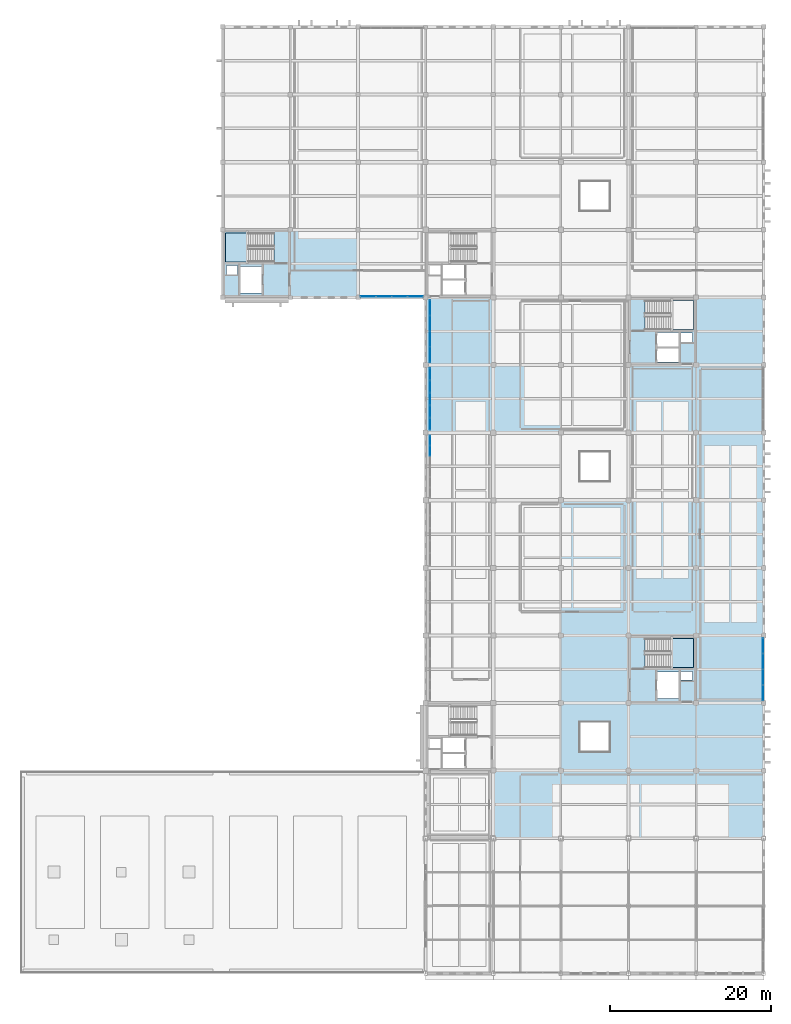
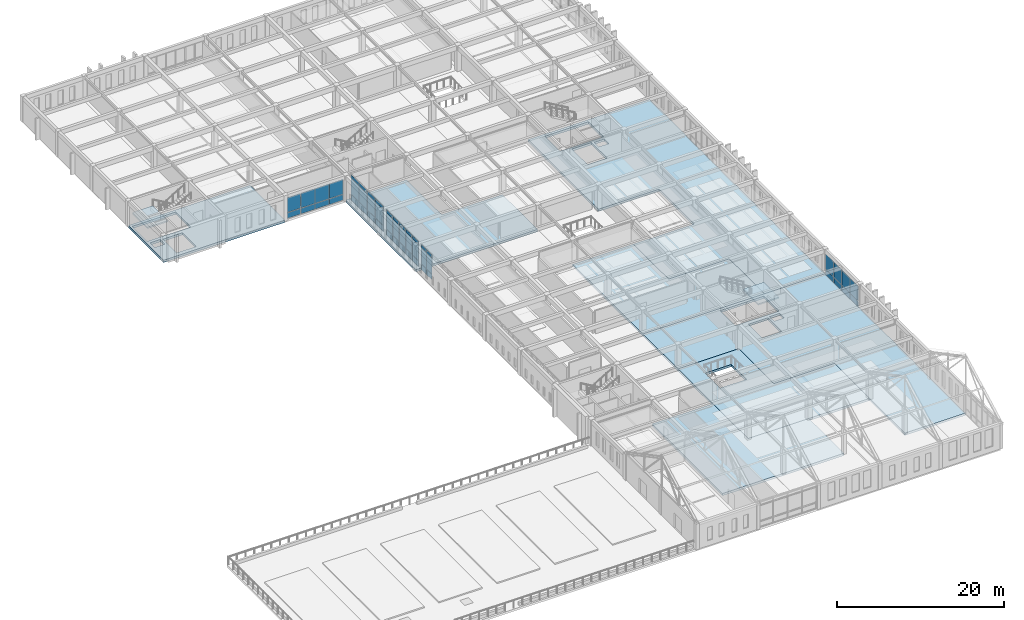
# One storey, part 24 of 47: 49 plates, 9 slabs, 7 elements without a shape of their own.
"""IFC4 building model written with IfcOpenShell, lengths in metres."""

from ifc_helpers import new_model, si_unit, direction, frame, origin, origin_2d, place, context, subcontext, project, spatial, polyline, rectangle, outline, extrude, material, layer, layer_set, type_object, element, aggregate, save


model = new_model("IFC4")

# Units and contexts
model_context = context("Model", 3, precision=1e-05, world=origin(), true_north=direction((0.0, 1.0)))
body_context = subcontext(model_context, "Body", "Model", "MODEL_VIEW")
ifc_project = project(units=[si_unit("LENGTHUNIT", "METRE"), si_unit("AREAUNIT", "SQUARE_METRE"), si_unit("VOLUMEUNIT", "CUBIC_METRE"), si_unit("PLANEANGLEUNIT", "RADIAN"), si_unit("MASSUNIT", "GRAM", prefix="KILO")], contexts=[model_context])

# Site, building, storey
site_placement = place(None, origin())
site = spatial("IfcSite", under=ifc_project, at=site_placement, CompositionType="ELEMENT")
building_placement = place(site_placement, origin())
building = spatial("IfcBuilding", under=site, at=building_placement, Name="Kveldsbrygga Polytechnic", CompositionType="ELEMENT")
storey_placement = place(building_placement, frame((0.0, 0.0, 13.93994140625)))
storey = spatial("IfcBuildingStorey", under=building, at=storey_placement, Name="L03", CompositionType="ELEMENT", Elevation=13.93994140625)

# Curtain wall, plates
ifc_material_1 = material(Name="Anodised aluminium AW-6060", Category="aluminium")
ifc_layer_1 = layer(ifc_material_1, 0.179931640625)
ifc_layer_set_1 = layer_set([ifc_layer_1], Name="Anodised aluminium AW-6060")
curtain_wall_type_1 = type_object("IfcCurtainWallType", Name="CW-LANC-D", PredefinedType="USERDEFINED", material=ifc_layer_set_1)
curtain_wall_1_placement = place(storey_placement, origin())
curtain_wall_1 = element("IfcCurtainWall", 1, at=curtain_wall_1_placement, inside=storey, type_object=curtain_wall_type_1, Name="Curtain Wall CW-L03-Y-15-08", ObjectType="UNITISED CURTAIN WALL", PredefinedType="USERDEFINED")
ifc_material_2 = material(Name="Insulated triple low-E glass", Category="glass")
ifc_layer_2 = layer(ifc_material_2, 0.035888671875)
ifc_layer_set_2 = layer_set([ifc_layer_2], Name="Insulated triple low-E glass")
plate_type_1 = type_object("IfcPlateType", Name="CW-PAN-VIS36", PredefinedType="CURTAIN_PANEL", material=ifc_layer_set_2)
plate_1_placement = place(storey_placement, frame((126.550048828125, 68.293212890625, 0.06005859375), z_axis=(0.0, 0.0, 1.0), x_axis=(0.0, 1.0, 0.0)))
plate_1 = element("IfcPlate", 2, at=plate_1_placement, type_object=plate_type_1, Name="CW-04 panel 1.1", PredefinedType="CURTAIN_PANEL", context=body_context, shape_type="SweptSolid", body=[
    extrude(rectangle(XDim=1.446533203125, YDim=0.035888671875, at=origin_2d()), origin(), (0.0, 0.0, 1.0), 0.81005859375),
])
plate_2_placement = place(storey_placement, frame((126.550048828125, 68.293212890625, 0.929931640625), z_axis=(0.0, 0.0, 1.0), x_axis=(0.0, 1.0, 0.0)))
plate_2 = element("IfcPlate", 3, at=plate_2_placement, type_object=plate_type_1, Name="CW-04 panel 1.2", PredefinedType="CURTAIN_PANEL", context=body_context, shape_type="SweptSolid", body=[
    extrude(rectangle(XDim=1.446533203125, YDim=0.035888671875, at=origin_2d()), origin(), (0.0, 0.0, 1.0), 2.27001953125),
])
plate_3_placement = place(storey_placement, frame((126.550048828125, 68.293212890625, 3.260009765625), z_axis=(0.0, 0.0, 1.0), x_axis=(0.0, 1.0, 0.0)))
plate_3 = element("IfcPlate", 4, at=plate_3_placement, type_object=plate_type_1, Name="CW-04 panel 1.3", PredefinedType="CURTAIN_PANEL", context=body_context, shape_type="SweptSolid", body=[
    extrude(rectangle(XDim=1.446533203125, YDim=0.035888671875, at=origin_2d()), origin(), (0.0, 0.0, 1.0), 0.4599609375),
])
plate_4_placement = place(storey_placement, frame((126.550048828125, 69.83349609375, 0.06005859375), z_axis=(0.0, 0.0, 1.0), x_axis=(0.0, 1.0, 0.0)))
plate_4 = element("IfcPlate", 5, at=plate_4_placement, type_object=plate_type_1, Name="CW-04 panel 2.1", PredefinedType="CURTAIN_PANEL", context=body_context, shape_type="SweptSolid", body=[
    extrude(rectangle(XDim=1.48388671875, YDim=0.035888671875, at=origin_2d()), origin(), (0.0, 0.0, 1.0), 0.81005859375),
])
plate_5_placement = place(storey_placement, frame((126.550048828125, 69.83349609375, 0.929931640625), z_axis=(0.0, 0.0, 1.0), x_axis=(0.0, 1.0, 0.0)))
plate_5 = element("IfcPlate", 6, at=plate_5_placement, type_object=plate_type_1, Name="CW-04 panel 2.2", PredefinedType="CURTAIN_PANEL", context=body_context, shape_type="SweptSolid", body=[
    extrude(rectangle(XDim=1.48388671875, YDim=0.035888671875, at=origin_2d()), origin(), (0.0, 0.0, 1.0), 2.27001953125),
])
plate_6_placement = place(storey_placement, frame((126.550048828125, 69.83349609375, 3.260009765625), z_axis=(0.0, 0.0, 1.0), x_axis=(0.0, 1.0, 0.0)))
plate_6 = element("IfcPlate", 7, at=plate_6_placement, type_object=plate_type_1, Name="CW-04 panel 2.3", PredefinedType="CURTAIN_PANEL", context=body_context, shape_type="SweptSolid", body=[
    extrude(rectangle(XDim=1.48388671875, YDim=0.035888671875, at=origin_2d()), origin(), (0.0, 0.0, 1.0), 0.4599609375),
])
plate_7_placement = place(storey_placement, frame((126.550048828125, 71.392578125, 0.06005859375), z_axis=(0.0, 0.0, 1.0), x_axis=(0.0, 1.0, 0.0)))
plate_7 = element("IfcPlate", 8, at=plate_7_placement, type_object=plate_type_1, Name="CW-04 panel 3.1", PredefinedType="CURTAIN_PANEL", context=body_context, shape_type="SweptSolid", body=[
    extrude(rectangle(XDim=1.48388671875, YDim=0.035888671875, at=origin_2d()), origin(), (0.0, 0.0, 1.0), 0.81005859375),
])
plate_8_placement = place(storey_placement, frame((126.550048828125, 71.392578125, 0.929931640625), z_axis=(0.0, 0.0, 1.0), x_axis=(0.0, 1.0, 0.0)))
plate_8 = element("IfcPlate", 9, at=plate_8_placement, type_object=plate_type_1, Name="CW-04 panel 3.2", PredefinedType="CURTAIN_PANEL", context=body_context, shape_type="SweptSolid", body=[
    extrude(rectangle(XDim=1.48388671875, YDim=0.035888671875, at=origin_2d()), origin(), (0.0, 0.0, 1.0), 2.27001953125),
])
plate_9_placement = place(storey_placement, frame((126.550048828125, 71.392578125, 3.260009765625), z_axis=(0.0, 0.0, 1.0), x_axis=(0.0, 1.0, 0.0)))
plate_9 = element("IfcPlate", 10, at=plate_9_placement, type_object=plate_type_1, Name="CW-04 panel 3.3", PredefinedType="CURTAIN_PANEL", context=body_context, shape_type="SweptSolid", body=[
    extrude(rectangle(XDim=1.48388671875, YDim=0.035888671875, at=origin_2d()), origin(), (0.0, 0.0, 1.0), 0.4599609375),
])
plate_10_placement = place(storey_placement, frame((126.550048828125, 72.951416015625, 0.06005859375), z_axis=(0.0, 0.0, 1.0), x_axis=(0.0, 1.0, 0.0)))
plate_10 = element("IfcPlate", 11, at=plate_10_placement, type_object=plate_type_1, Name="CW-04 panel 4.1", PredefinedType="CURTAIN_PANEL", context=body_context, shape_type="SweptSolid", body=[
    extrude(rectangle(XDim=1.48388671875, YDim=0.035888671875, at=origin_2d()), origin(), (0.0, 0.0, 1.0), 0.81005859375),
])
plate_11_placement = place(storey_placement, frame((126.550048828125, 72.951416015625, 0.929931640625), z_axis=(0.0, 0.0, 1.0), x_axis=(0.0, 1.0, 0.0)))
plate_11 = element("IfcPlate", 12, at=plate_11_placement, type_object=plate_type_1, Name="CW-04 panel 4.2", PredefinedType="CURTAIN_PANEL", context=body_context, shape_type="SweptSolid", body=[
    extrude(rectangle(XDim=1.48388671875, YDim=0.035888671875, at=origin_2d()), origin(), (0.0, 0.0, 1.0), 2.27001953125),
])
plate_12_placement = place(storey_placement, frame((126.550048828125, 72.951416015625, 3.260009765625), z_axis=(0.0, 0.0, 1.0), x_axis=(0.0, 1.0, 0.0)))
plate_12 = element("IfcPlate", 13, at=plate_12_placement, type_object=plate_type_1, Name="CW-04 panel 4.3", PredefinedType="CURTAIN_PANEL", context=body_context, shape_type="SweptSolid", body=[
    extrude(rectangle(XDim=1.48388671875, YDim=0.035888671875, at=origin_2d()), origin(), (0.0, 0.0, 1.0), 0.4599609375),
])
plate_13_placement = place(storey_placement, frame((126.550048828125, 74.49169921875, 0.06005859375), z_axis=(0.0, 0.0, 1.0), x_axis=(0.0, 1.0, 0.0)))
plate_13 = element("IfcPlate", 14, at=plate_13_placement, type_object=plate_type_1, Name="CW-04 panel 5.1", PredefinedType="CURTAIN_PANEL", context=body_context, shape_type="SweptSolid", body=[
    extrude(rectangle(XDim=1.446533203125, YDim=0.035888671875, at=origin_2d()), origin(), (0.0, 0.0, 1.0), 0.81005859375),
])
plate_14_placement = place(storey_placement, frame((126.550048828125, 74.49169921875, 0.929931640625), z_axis=(0.0, 0.0, 1.0), x_axis=(0.0, 1.0, 0.0)))
plate_14 = element("IfcPlate", 15, at=plate_14_placement, type_object=plate_type_1, Name="CW-04 panel 5.2", PredefinedType="CURTAIN_PANEL", context=body_context, shape_type="SweptSolid", body=[
    extrude(rectangle(XDim=1.446533203125, YDim=0.035888671875, at=origin_2d()), origin(), (0.0, 0.0, 1.0), 2.27001953125),
])
plate_15_placement = place(storey_placement, frame((126.550048828125, 74.49169921875, 3.260009765625), z_axis=(0.0, 0.0, 1.0), x_axis=(0.0, 1.0, 0.0)))
plate_15 = element("IfcPlate", 16, at=plate_15_placement, type_object=plate_type_1, Name="CW-04 panel 5.3", PredefinedType="CURTAIN_PANEL", context=body_context, shape_type="SweptSolid", body=[
    extrude(rectangle(XDim=1.446533203125, YDim=0.035888671875, at=origin_2d()), origin(), (0.0, 0.0, 1.0), 0.4599609375),
])
aggregate(curtain_wall_1, [plate_1, plate_2, plate_3, plate_4, plate_5, plate_6, plate_7, plate_8, plate_9, plate_10, plate_11, plate_12, plate_13, plate_14, plate_15])

ifc_layer_3 = layer(ifc_material_1, 0.199951171875)
ifc_layer_set_3 = layer_set([ifc_layer_3], Name="Anodised aluminium AW-6060")
curtain_wall_type_2 = type_object("IfcCurtainWallType", Name="CW-LANC-E", PredefinedType="USERDEFINED", material=ifc_layer_set_3)
curtain_wall_2_placement = place(storey_placement, origin())
curtain_wall_2 = element("IfcCurtainWall", 17, at=curtain_wall_2_placement, inside=storey, type_object=curtain_wall_type_2, Name="Curtain Wall CW-L03-X-14-10", ObjectType="UNITISED CURTAIN WALL", PredefinedType="USERDEFINED")
ifc_layer_4 = layer(ifc_material_2, 0.0419921875)
ifc_layer_set_4 = layer_set([ifc_layer_4], Name="Insulated triple low-E glass")
plate_type_2 = type_object("IfcPlateType", Name="CW-PAN-VIS42", PredefinedType="CURTAIN_PANEL", material=ifc_layer_set_4)
plate_16_placement = place(storey_placement, frame((118.855712890625, 84.10009765625, 0.06005859375), z_axis=(0.0, 0.0, 1.0), x_axis=(1.0, 0.0, 0.0)))
plate_16 = element("IfcPlate", 18, at=plate_16_placement, type_object=plate_type_2, Name="CW-05 panel 1.1", PredefinedType="CURTAIN_PANEL", context=body_context, shape_type="SweptSolid", body=[
    extrude(rectangle(XDim=1.871337890625, YDim=0.0419921875, at=origin_2d()), origin(), (0.0, 0.0, 1.0), 0.81005859375),
])
plate_17_placement = place(storey_placement, frame((118.855712890625, 84.10009765625, 0.93017578125), z_axis=(0.0, 0.0, 1.0), x_axis=(1.0, 0.0, 0.0)))
plate_17 = element("IfcPlate", 19, at=plate_17_placement, type_object=plate_type_2, Name="CW-05 panel 1.2", PredefinedType="CURTAIN_PANEL", context=body_context, shape_type="SweptSolid", body=[
    extrude(rectangle(XDim=1.871337890625, YDim=0.0419921875, at=origin_2d()), origin(), (0.0, 0.0, 1.0), 2.159912109375),
])
plate_18_placement = place(storey_placement, frame((120.8017578125, 84.10009765625, 0.06005859375), z_axis=(0.0, 0.0, 1.0), x_axis=(1.0, 0.0, 0.0)))
plate_18 = element("IfcPlate", 20, at=plate_18_placement, type_object=plate_type_2, Name="CW-05 panel 2.1", PredefinedType="CURTAIN_PANEL", context=body_context, shape_type="SweptSolid", body=[
    extrude(rectangle(XDim=1.9013671875, YDim=0.0419921875, at=origin_2d()), origin(), (0.0, 0.0, 1.0), 0.81005859375),
])
plate_19_placement = place(storey_placement, frame((120.8017578125, 84.10009765625, 0.93017578125), z_axis=(0.0, 0.0, 1.0), x_axis=(1.0, 0.0, 0.0)))
plate_19 = element("IfcPlate", 21, at=plate_19_placement, type_object=plate_type_2, Name="CW-05 panel 2.2", PredefinedType="CURTAIN_PANEL", context=body_context, shape_type="SweptSolid", body=[
    extrude(rectangle(XDim=1.9013671875, YDim=0.0419921875, at=origin_2d()), origin(), (0.0, 0.0, 1.0), 2.159912109375),
])
plate_20_placement = place(storey_placement, frame((122.76318359375, 84.10009765625, 0.06005859375), z_axis=(0.0, 0.0, 1.0), x_axis=(1.0, 0.0, 0.0)))
plate_20 = element("IfcPlate", 22, at=plate_20_placement, type_object=plate_type_2, Name="CW-05 panel 3.1", PredefinedType="CURTAIN_PANEL", context=body_context, shape_type="SweptSolid", body=[
    extrude(rectangle(XDim=1.9013671875, YDim=0.0419921875, at=origin_2d()), origin(), (0.0, 0.0, 1.0), 0.81005859375),
])
plate_21_placement = place(storey_placement, frame((122.76318359375, 84.10009765625, 0.93017578125), z_axis=(0.0, 0.0, 1.0), x_axis=(1.0, 0.0, 0.0)))
plate_21 = element("IfcPlate", 23, at=plate_21_placement, type_object=plate_type_2, Name="CW-05 panel 3.2", PredefinedType="CURTAIN_PANEL", context=body_context, shape_type="SweptSolid", body=[
    extrude(rectangle(XDim=1.9013671875, YDim=0.0419921875, at=origin_2d()), origin(), (0.0, 0.0, 1.0), 2.159912109375),
])
plate_22_placement = place(storey_placement, frame((124.70947265625, 84.10009765625, 0.06005859375), z_axis=(0.0, 0.0, 1.0), x_axis=(1.0, 0.0, 0.0)))
plate_22 = element("IfcPlate", 24, at=plate_22_placement, type_object=plate_type_2, Name="CW-05 panel 4.1", PredefinedType="CURTAIN_PANEL", context=body_context, shape_type="SweptSolid", body=[
    extrude(rectangle(XDim=1.871337890625, YDim=0.0419921875, at=origin_2d()), origin(), (0.0, 0.0, 1.0), 0.81005859375),
])
plate_23_placement = place(storey_placement, frame((124.70947265625, 84.10009765625, 0.93017578125), z_axis=(0.0, 0.0, 1.0), x_axis=(1.0, 0.0, 0.0)))
plate_23 = element("IfcPlate", 25, at=plate_23_placement, type_object=plate_type_2, Name="CW-05 panel 4.2", PredefinedType="CURTAIN_PANEL", context=body_context, shape_type="SweptSolid", body=[
    extrude(rectangle(XDim=1.871337890625, YDim=0.0419921875, at=origin_2d()), origin(), (0.0, 0.0, 1.0), 2.159912109375),
])
aggregate(curtain_wall_2, [plate_16, plate_17, plate_18, plate_19, plate_20, plate_21, plate_22, plate_23])

curtain_wall_3_placement = place(storey_placement, origin())
curtain_wall_3 = element("IfcCurtainWall", 26, at=curtain_wall_3_placement, inside=storey, type_object=curtain_wall_type_2, Name="Curtain Wall CW-L03-Y-15-09", ObjectType="UNITISED CURTAIN WALL", PredefinedType="USERDEFINED")
plate_24_placement = place(storey_placement, frame((126.550048828125, 76.8994140625, 0.06005859375), z_axis=(0.0, 0.0, 1.0), x_axis=(0.0, 1.0, 0.0)))
plate_24 = element("IfcPlate", 27, at=plate_24_placement, type_object=plate_type_2, Name="CW-05 panel 1.1", PredefinedType="CURTAIN_PANEL", context=body_context, shape_type="SweptSolid", body=[
    extrude(rectangle(XDim=1.858642578125, YDim=0.0419921875, at=origin_2d()), origin(), (0.0, 0.0, 1.0), 0.81005859375),
])
plate_25_placement = place(storey_placement, frame((126.550048828125, 76.8994140625, 0.929931640625), z_axis=(0.0, 0.0, 1.0), x_axis=(0.0, 1.0, 0.0)))
plate_25 = element("IfcPlate", 28, at=plate_25_placement, type_object=plate_type_2, Name="CW-05 panel 1.2", PredefinedType="CURTAIN_PANEL", context=body_context, shape_type="SweptSolid", body=[
    extrude(rectangle(XDim=1.858642578125, YDim=0.0419921875, at=origin_2d()), origin(), (0.0, 0.0, 1.0), 2.27001953125),
])
plate_26_placement = place(storey_placement, frame((126.550048828125, 76.8994140625, 3.260009765625), z_axis=(0.0, 0.0, 1.0), x_axis=(0.0, 1.0, 0.0)))
plate_26 = element("IfcPlate", 29, at=plate_26_placement, type_object=plate_type_2, Name="CW-05 panel 1.3", PredefinedType="CURTAIN_PANEL", context=body_context, shape_type="SweptSolid", body=[
    extrude(rectangle(XDim=1.858642578125, YDim=0.0419921875, at=origin_2d()), origin(), (0.0, 0.0, 1.0), 0.4599609375),
])
plate_27_placement = place(storey_placement, frame((126.550048828125, 78.8330078125, 0.06005859375), z_axis=(0.0, 0.0, 1.0), x_axis=(0.0, 1.0, 0.0)))
plate_27 = element("IfcPlate", 30, at=plate_27_placement, type_object=plate_type_2, Name="CW-05 panel 2.1", PredefinedType="CURTAIN_PANEL", context=body_context, shape_type="SweptSolid", body=[
    extrude(rectangle(XDim=1.888671875, YDim=0.0419921875, at=origin_2d()), origin(), (0.0, 0.0, 1.0), 0.81005859375),
])
plate_28_placement = place(storey_placement, frame((126.550048828125, 78.8330078125, 0.929931640625), z_axis=(0.0, 0.0, 1.0), x_axis=(0.0, 1.0, 0.0)))
plate_28 = element("IfcPlate", 31, at=plate_28_placement, type_object=plate_type_2, Name="CW-05 panel 2.2", PredefinedType="CURTAIN_PANEL", context=body_context, shape_type="SweptSolid", body=[
    extrude(rectangle(XDim=1.888671875, YDim=0.0419921875, at=origin_2d()), origin(), (0.0, 0.0, 1.0), 2.27001953125),
])
plate_29_placement = place(storey_placement, frame((126.550048828125, 78.8330078125, 3.260009765625), z_axis=(0.0, 0.0, 1.0), x_axis=(0.0, 1.0, 0.0)))
plate_29 = element("IfcPlate", 32, at=plate_29_placement, type_object=plate_type_2, Name="CW-05 panel 2.3", PredefinedType="CURTAIN_PANEL", context=body_context, shape_type="SweptSolid", body=[
    extrude(rectangle(XDim=1.888671875, YDim=0.0419921875, at=origin_2d()), origin(), (0.0, 0.0, 1.0), 0.4599609375),
])
plate_30_placement = place(storey_placement, frame((126.550048828125, 80.781982421875, 0.06005859375), z_axis=(0.0, 0.0, 1.0), x_axis=(0.0, 1.0, 0.0)))
plate_30 = element("IfcPlate", 33, at=plate_30_placement, type_object=plate_type_2, Name="CW-05 panel 3.1", PredefinedType="CURTAIN_PANEL", context=body_context, shape_type="SweptSolid", body=[
    extrude(rectangle(XDim=1.888671875, YDim=0.0419921875, at=origin_2d()), origin(), (0.0, 0.0, 1.0), 0.81005859375),
])
plate_31_placement = place(storey_placement, frame((126.550048828125, 80.781982421875, 0.929931640625), z_axis=(0.0, 0.0, 1.0), x_axis=(0.0, 1.0, 0.0)))
plate_31 = element("IfcPlate", 34, at=plate_31_placement, type_object=plate_type_2, Name="CW-05 panel 3.2", PredefinedType="CURTAIN_PANEL", context=body_context, shape_type="SweptSolid", body=[
    extrude(rectangle(XDim=1.888671875, YDim=0.0419921875, at=origin_2d()), origin(), (0.0, 0.0, 1.0), 2.27001953125),
])
plate_32_placement = place(storey_placement, frame((126.550048828125, 80.781982421875, 3.260009765625), z_axis=(0.0, 0.0, 1.0), x_axis=(0.0, 1.0, 0.0)))
plate_32 = element("IfcPlate", 35, at=plate_32_placement, type_object=plate_type_2, Name="CW-05 panel 3.3", PredefinedType="CURTAIN_PANEL", context=body_context, shape_type="SweptSolid", body=[
    extrude(rectangle(XDim=1.888671875, YDim=0.0419921875, at=origin_2d()), origin(), (0.0, 0.0, 1.0), 0.4599609375),
])
plate_33_placement = place(storey_placement, frame((126.550048828125, 82.715576171875, 0.06005859375), z_axis=(0.0, 0.0, 1.0), x_axis=(0.0, 1.0, 0.0)))
plate_33 = element("IfcPlate", 36, at=plate_33_placement, type_object=plate_type_2, Name="CW-05 panel 4.1", PredefinedType="CURTAIN_PANEL", context=body_context, shape_type="SweptSolid", body=[
    extrude(rectangle(XDim=1.858642578125, YDim=0.0419921875, at=origin_2d()), origin(), (0.0, 0.0, 1.0), 0.81005859375),
])
plate_34_placement = place(storey_placement, frame((126.550048828125, 82.715576171875, 0.929931640625), z_axis=(0.0, 0.0, 1.0), x_axis=(0.0, 1.0, 0.0)))
plate_34 = element("IfcPlate", 37, at=plate_34_placement, type_object=plate_type_2, Name="CW-05 panel 4.2", PredefinedType="CURTAIN_PANEL", context=body_context, shape_type="SweptSolid", body=[
    extrude(rectangle(XDim=1.858642578125, YDim=0.0419921875, at=origin_2d()), origin(), (0.0, 0.0, 1.0), 2.27001953125),
])
plate_35_placement = place(storey_placement, frame((126.550048828125, 82.715576171875, 3.260009765625), z_axis=(0.0, 0.0, 1.0), x_axis=(0.0, 1.0, 0.0)))
plate_35 = element("IfcPlate", 38, at=plate_35_placement, type_object=plate_type_2, Name="CW-05 panel 4.3", PredefinedType="CURTAIN_PANEL", context=body_context, shape_type="SweptSolid", body=[
    extrude(rectangle(XDim=1.858642578125, YDim=0.0419921875, at=origin_2d()), origin(), (0.0, 0.0, 1.0), 0.4599609375),
])
aggregate(curtain_wall_3, [plate_24, plate_25, plate_26, plate_27, plate_28, plate_29, plate_30, plate_31, plate_32, plate_33, plate_34, plate_35])

curtain_wall_4_placement = place(storey_placement, origin())
curtain_wall_4 = element("IfcCurtainWall", 39, at=curtain_wall_4_placement, inside=storey, type_object=curtain_wall_type_2, Name="Curtain Wall CW-L03-Y-20-04", ObjectType="UNITISED CURTAIN WALL", PredefinedType="USERDEFINED")
plate_36_placement = place(storey_placement, frame((167.89990234375, 34.8798828125, 0.06005859375), z_axis=(0.0, 0.0, 1.0), x_axis=(0.0, 1.0, 0.0)))
plate_36 = element("IfcPlate", 40, at=plate_36_placement, type_object=plate_type_2, Name="CW-05 panel 1.1", PredefinedType="CURTAIN_PANEL", context=body_context, shape_type="SweptSolid", body=[
    extrude(rectangle(XDim=1.8701171875, YDim=0.0419921875, at=origin_2d()), origin(), (0.0, 0.0, 1.0), 0.81005859375),
])
plate_37_placement = place(storey_placement, frame((167.89990234375, 34.8798828125, 0.93017578125), z_axis=(0.0, 0.0, 1.0), x_axis=(0.0, 1.0, 0.0)))
plate_37 = element("IfcPlate", 41, at=plate_37_placement, type_object=plate_type_2, Name="CW-05 panel 1.2", PredefinedType="CURTAIN_PANEL", context=body_context, shape_type="SweptSolid", body=[
    extrude(rectangle(XDim=1.8701171875, YDim=0.0419921875, at=origin_2d()), origin(), (0.0, 0.0, 1.0), 2.159912109375),
])
plate_38_placement = place(storey_placement, frame((167.89990234375, 36.824951171875, 0.06005859375), z_axis=(0.0, 0.0, 1.0), x_axis=(0.0, 1.0, 0.0)))
plate_38 = element("IfcPlate", 42, at=plate_38_placement, type_object=plate_type_2, Name="CW-05 panel 2.1", PredefinedType="CURTAIN_PANEL", context=body_context, shape_type="SweptSolid", body=[
    extrude(rectangle(XDim=1.89990234375, YDim=0.0419921875, at=origin_2d()), origin(), (0.0, 0.0, 1.0), 0.81005859375),
])
plate_39_placement = place(storey_placement, frame((167.89990234375, 36.824951171875, 0.93017578125), z_axis=(0.0, 0.0, 1.0), x_axis=(0.0, 1.0, 0.0)))
plate_39 = element("IfcPlate", 43, at=plate_39_placement, type_object=plate_type_2, Name="CW-05 panel 2.2", PredefinedType="CURTAIN_PANEL", context=body_context, shape_type="SweptSolid", body=[
    extrude(rectangle(XDim=1.89990234375, YDim=0.0419921875, at=origin_2d()), origin(), (0.0, 0.0, 1.0), 2.159912109375),
])
plate_40_placement = place(storey_placement, frame((167.89990234375, 38.784912109375, 0.06005859375), z_axis=(0.0, 0.0, 1.0), x_axis=(0.0, 1.0, 0.0)))
plate_40 = element("IfcPlate", 44, at=plate_40_placement, type_object=plate_type_2, Name="CW-05 panel 3.1", PredefinedType="CURTAIN_PANEL", context=body_context, shape_type="SweptSolid", body=[
    extrude(rectangle(XDim=1.89990234375, YDim=0.0419921875, at=origin_2d()), origin(), (0.0, 0.0, 1.0), 0.81005859375),
])
plate_41_placement = place(storey_placement, frame((167.89990234375, 38.784912109375, 0.93017578125), z_axis=(0.0, 0.0, 1.0), x_axis=(0.0, 1.0, 0.0)))
plate_41 = element("IfcPlate", 45, at=plate_41_placement, type_object=plate_type_2, Name="CW-05 panel 3.2", PredefinedType="CURTAIN_PANEL", context=body_context, shape_type="SweptSolid", body=[
    extrude(rectangle(XDim=1.89990234375, YDim=0.0419921875, at=origin_2d()), origin(), (0.0, 0.0, 1.0), 2.159912109375),
])
plate_42_placement = place(storey_placement, frame((167.89990234375, 40.72998046875, 0.06005859375), z_axis=(0.0, 0.0, 1.0), x_axis=(0.0, 1.0, 0.0)))
plate_42 = element("IfcPlate", 46, at=plate_42_placement, type_object=plate_type_2, Name="CW-05 panel 4.1", PredefinedType="CURTAIN_PANEL", context=body_context, shape_type="SweptSolid", body=[
    extrude(rectangle(XDim=1.8701171875, YDim=0.0419921875, at=origin_2d()), origin(), (0.0, 0.0, 1.0), 0.81005859375),
])
plate_43_placement = place(storey_placement, frame((167.89990234375, 40.72998046875, 0.93017578125), z_axis=(0.0, 0.0, 1.0), x_axis=(0.0, 1.0, 0.0)))
plate_43 = element("IfcPlate", 47, at=plate_43_placement, type_object=plate_type_2, Name="CW-05 panel 4.2", PredefinedType="CURTAIN_PANEL", context=body_context, shape_type="SweptSolid", body=[
    extrude(rectangle(XDim=1.8701171875, YDim=0.0419921875, at=origin_2d()), origin(), (0.0, 0.0, 1.0), 2.159912109375),
])
aggregate(curtain_wall_4, [plate_36, plate_37, plate_38, plate_39, plate_40, plate_41, plate_42, plate_43])

ifc_layer_5 = layer(ifc_material_1, 0.159912109375)
ifc_layer_set_5 = layer_set([ifc_layer_5], Name="Anodised aluminium AW-6060")
curtain_wall_type_3 = type_object("IfcCurtainWallType", Name="CW-CLER-C", PredefinedType="USERDEFINED", material=ifc_layer_set_5)
curtain_wall_5_placement = place(storey_placement, origin())
curtain_wall_5 = element("IfcCurtainWall", 48, at=curtain_wall_5_placement, inside=storey, type_object=curtain_wall_type_3, Name="Curtain Wall CW-L03-Y-15-07", ObjectType="STICK CURTAIN WALL", PredefinedType="USERDEFINED")
ifc_layer_6 = layer(ifc_material_2, 0.048095703125)
ifc_layer_set_6 = layer_set([ifc_layer_6], Name="Insulated triple low-E glass")
plate_type_3 = type_object("IfcPlateType", Name="CW-PAN-VIS48", PredefinedType="CURTAIN_PANEL", material=ifc_layer_set_6)
plate_44_placement = place(storey_placement, frame((126.550048828125, 64.956298828125, 0.074951171875), z_axis=(0.0, 0.0, 1.0), x_axis=(0.0, 1.0, 0.0)))
plate_44 = element("IfcPlate", 49, at=plate_44_placement, type_object=plate_type_3, Name="CW-03 panel 5.1", PredefinedType="CURTAIN_PANEL", context=body_context, shape_type="SweptSolid", body=[
    extrude(rectangle(XDim=1.22412109375, YDim=0.048095703125, at=origin_2d()), origin(), (0.0, 0.0, 1.0), 0.78759765625),
])
plate_45_placement = place(storey_placement, frame((126.550048828125, 64.956298828125, 0.9375), z_axis=(0.0, 0.0, 1.0), x_axis=(0.0, 1.0, 0.0)))
plate_45 = element("IfcPlate", 50, at=plate_45_placement, type_object=plate_type_3, Name="CW-03 panel 5.2", PredefinedType="CURTAIN_PANEL", context=body_context, shape_type="SweptSolid", body=[
    extrude(rectangle(XDim=1.22412109375, YDim=0.048095703125, at=origin_2d()), origin(), (0.0, 0.0, 1.0), 2.2548828125),
])
plate_46_placement = place(storey_placement, frame((126.550048828125, 64.956298828125, 3.267578125), z_axis=(0.0, 0.0, 1.0), x_axis=(0.0, 1.0, 0.0)))
plate_46 = element("IfcPlate", 51, at=plate_46_placement, type_object=plate_type_3, Name="CW-03 panel 5.3", PredefinedType="CURTAIN_PANEL", context=body_context, shape_type="SweptSolid", body=[
    extrude(rectangle(XDim=1.22412109375, YDim=0.048095703125, at=origin_2d()), origin(), (0.0, 0.0, 1.0), 0.4375),
])
plate_47_placement = place(storey_placement, frame((126.550048828125, 66.236572265625, 0.074951171875), z_axis=(0.0, 0.0, 1.0), x_axis=(0.0, 1.0, 0.0)))
plate_47 = element("IfcPlate", 52, at=plate_47_placement, type_object=plate_type_3, Name="CW-03 panel 6.1", PredefinedType="CURTAIN_PANEL", context=body_context, shape_type="SweptSolid", body=[
    extrude(rectangle(XDim=1.186767578125, YDim=0.048095703125, at=origin_2d()), origin(), (0.0, 0.0, 1.0), 0.78759765625),
])
plate_48_placement = place(storey_placement, frame((126.550048828125, 66.236572265625, 0.9375), z_axis=(0.0, 0.0, 1.0), x_axis=(0.0, 1.0, 0.0)))
plate_48 = element("IfcPlate", 53, at=plate_48_placement, type_object=plate_type_3, Name="CW-03 panel 6.2", PredefinedType="CURTAIN_PANEL", context=body_context, shape_type="SweptSolid", body=[
    extrude(rectangle(XDim=1.186767578125, YDim=0.048095703125, at=origin_2d()), origin(), (0.0, 0.0, 1.0), 2.2548828125),
])
plate_49_placement = place(storey_placement, frame((126.550048828125, 66.236572265625, 3.267578125), z_axis=(0.0, 0.0, 1.0), x_axis=(0.0, 1.0, 0.0)))
plate_49 = element("IfcPlate", 54, at=plate_49_placement, type_object=plate_type_3, Name="CW-03 panel 6.3", PredefinedType="CURTAIN_PANEL", context=body_context, shape_type="SweptSolid", body=[
    extrude(rectangle(XDim=1.186767578125, YDim=0.048095703125, at=origin_2d()), origin(), (0.0, 0.0, 1.0), 0.4375),
])
aggregate(curtain_wall_5, [plate_44, plate_45, plate_46, plate_47, plate_48, plate_49])

# Stair, slab
ifc_material_3 = material(Name="Concrete C35/45", Category="concrete")
stair_type = type_object("IfcStairType", Name="STR-CORE-408", PredefinedType="HALF_TURN_STAIR", material=ifc_material_3)
stair_1_placement = place(storey_placement, origin())
stair_1 = element("IfcStair", 55, at=stair_1_placement, inside=storey, type_object=stair_type, Name="L03 Core C3 Escape Stair ST-3", PredefinedType="HALF_TURN_STAIR")
ifc_layer_7 = layer(ifc_material_3, 0.199951171875)
ifc_layer_set_7 = layer_set([ifc_layer_7], Name="Concrete C35/45")
slab_type_1 = type_object("IfcSlabType", Name="SLB-LANDING-200", PredefinedType="LANDING", material=ifc_layer_set_7)
slab_1_placement = place(storey_placement, frame((0.0, 0.0, 1.840087890625)))
slab_1 = element("IfcSlab", 56, at=slab_1_placement, type_object=slab_type_1, Name="ST-3 landing 1", PredefinedType="LANDING", context=body_context, shape_type="SweptSolid", body=[
    extrude(outline(polyline([(156.43994140625, 38.0), (159.300048828125, 38.0), (159.300048828125, 41.60009765625), (156.43994140625, 41.60009765625), (156.43994140625, 38.0)])), origin(), (0.0, 0.0, 1.0), 0.199951171875),
])
aggregate(stair_1, [slab_1])

stair_2_placement = place(storey_placement, origin())
stair_2 = element("IfcStair", 57, at=stair_2_placement, inside=storey, type_object=stair_type, Name="L03 Core C5 Escape Stair ST-5", PredefinedType="HALF_TURN_STAIR")
slab_2_placement = place(storey_placement, frame((0.0, 0.0, 1.840087890625)))
slab_2 = element("IfcSlab", 58, at=slab_2_placement, type_object=slab_type_1, Name="ST-5 landing 1", PredefinedType="LANDING", context=body_context, shape_type="SweptSolid", body=[
    extrude(outline(polyline([(103.9599609375, 92.0), (101.10009765625, 92.0), (101.10009765625, 88.39990234375), (103.9599609375, 88.39990234375), (103.9599609375, 92.0)])), origin(), (0.0, 0.0, 1.0), 0.199951171875),
])
aggregate(stair_2, [slab_2])

# Slabs
ifc_layer_8 = layer(ifc_material_3, 0.330078125)
ifc_layer_set_8 = layer_set([ifc_layer_8], Name="Concrete C35/45")
slab_type_2 = type_object("IfcSlabType", Name="SLB-STACK-330", PredefinedType="FLOOR", material=ifc_layer_set_8)
slab_3_placement = place(storey_placement, frame((0.0, 0.0, -0.329833984375)))
element("IfcSlab", 59, at=slab_3_placement, inside=storey, type_object=slab_type_2, Name="Slab SLB-L03-V4-L06-1", PredefinedType="FLOOR", context=body_context, shape_type="SweptSolid", body=[
    extrude(outline(polyline([(126.0, 67.199951171875), (126.0, 75.60009765625), (126.0, 84.0), (134.39990234375, 84.0), (134.39990234375, 75.60009765625), (142.800048828125, 75.60009765625), (142.800048828125, 67.199951171875), (134.39990234375, 67.199951171875), (126.0, 67.199951171875)])), origin(), (0.0, 0.0, 1.0), 0.329833984375),
])
slab_4_placement = place(storey_placement, frame((0.0, 0.0, -0.329833984375)))
element("IfcSlab", 60, at=slab_4_placement, inside=storey, type_object=slab_type_2, Name="Slab SLB-L03-V4-L08-1", PredefinedType="FLOOR", context=body_context, shape_type="SweptSolid", body=[
    extrude(outline(polyline([(134.39990234375, 8.39990234375), (134.39990234375, 16.800048828125), (134.39990234375, 25.199951171875), (142.800048828125, 25.199951171875), (142.800048828125, 16.800048828125), (151.199951171875, 16.800048828125), (151.199951171875, 8.39990234375), (142.800048828125, 8.39990234375), (134.39990234375, 8.39990234375)])), origin(), (0.0, 0.0, 1.0), 0.329833984375),
])
slab_5_placement = place(storey_placement, frame((0.0, 0.0, -0.329833984375)))
element("IfcSlab", 61, at=slab_5_placement, inside=storey, type_object=slab_type_2, Name="Slab SLB-L03-V4-L11-1", PredefinedType="FLOOR", context=body_context, shape_type="SweptSolid", body=[
    extrude(outline(polyline([(142.800048828125, 16.800048828125), (142.800048828125, 25.199951171875), (142.800048828125, 33.60009765625), (151.199951171875, 33.60009765625), (151.199951171875, 25.199951171875), (159.60009765625, 25.199951171875), (159.60009765625, 16.800048828125), (151.199951171875, 16.800048828125), (142.800048828125, 16.800048828125)]), holes=[polyline([(145.199951171875, 27.60009765625), (148.800048828125, 27.60009765625), (148.800048828125, 31.199951171875), (145.199951171875, 31.199951171875), (145.199951171875, 27.60009765625)])]), origin(), (0.0, 0.0, 1.0), 0.329833984375),
])
slab_6_placement = place(storey_placement, frame((0.0, 0.0, -0.329833984375)))
element("IfcSlab", 62, at=slab_6_placement, inside=storey, type_object=slab_type_2, Name="Slab SLB-L03-V4-L12-1", PredefinedType="FLOOR", context=body_context, shape_type="SweptSolid", body=[
    extrude(outline(polyline([(142.800048828125, 42.0), (142.800048828125, 50.39990234375), (142.800048828125, 58.800048828125), (151.199951171875, 58.800048828125), (151.199951171875, 50.39990234375), (159.60009765625, 50.39990234375), (159.60009765625, 42.0), (151.199951171875, 42.0), (142.800048828125, 42.0)])), origin(), (0.0, 0.0, 1.0), 0.329833984375),
])
slab_7_placement = place(storey_placement, frame((0.0, 0.0, -0.329833984375)))
element("IfcSlab", 63, at=slab_7_placement, inside=storey, type_object=slab_type_2, Name="Slab SLB-L03-V4-Z3-3", PredefinedType="FLOOR", context=body_context, shape_type="SweptSolid", body=[
    extrude(outline(polyline([(151.199951171875, 25.199951171875), (151.199951171875, 33.60009765625), (142.800048828125, 33.60009765625), (142.800048828125, 42.0), (151.199951171875, 42.0), (159.60009765625, 42.0), (168.0, 42.0), (168.0, 33.60009765625), (168.0, 25.199951171875), (168.0, 16.800048828125), (168.0, 8.39990234375), (159.60009765625, 8.39990234375), (159.60009765625, 16.800048828125), (159.60009765625, 25.199951171875), (151.199951171875, 25.199951171875)]), holes=[polyline([(153.27490234375, 38.0), (159.300048828125, 38.0), (159.300048828125, 41.60009765625), (153.27490234375, 41.60009765625), (153.27490234375, 38.0)]), polyline([(154.75, 34.14990234375), (157.449951171875, 34.14990234375), (157.449951171875, 37.449951171875), (154.75, 37.449951171875), (154.75, 34.14990234375)]), polyline([(157.75, 36.449951171875), (159.14990234375, 36.449951171875), (159.14990234375, 37.550048828125), (157.75, 37.550048828125), (157.75, 36.449951171875)])]), origin(), (0.0, 0.0, 1.0), 0.329833984375),
])
slab_8_placement = place(storey_placement, frame((0.0, 0.0, -0.329833984375)))
element("IfcSlab", 64, at=slab_8_placement, inside=storey, type_object=slab_type_2, Name="Slab SLB-L03-V4-Z6-2", PredefinedType="FLOOR", context=body_context, shape_type="SweptSolid", body=[
    extrude(outline(polyline([(151.199951171875, 50.39990234375), (151.199951171875, 58.800048828125), (159.60009765625, 58.800048828125), (159.60009765625, 67.199951171875), (151.199951171875, 67.199951171875), (151.199951171875, 75.60009765625), (151.199951171875, 84.0), (159.60009765625, 84.0), (168.0, 84.0), (168.0, 75.60009765625), (168.0, 67.199951171875), (168.0, 58.800048828125), (168.0, 50.39990234375), (168.0, 42.0), (159.60009765625, 42.0), (159.60009765625, 50.39990234375), (151.199951171875, 50.39990234375)]), holes=[polyline([(153.27490234375, 80.0), (159.300048828125, 80.0), (159.300048828125, 83.60009765625), (153.27490234375, 83.60009765625), (153.27490234375, 80.0)]), polyline([(154.75, 75.949951171875), (157.449951171875, 75.949951171875), (157.449951171875, 79.64990234375), (154.75, 79.64990234375), (154.75, 75.949951171875)]), polyline([(157.75, 78.449951171875), (159.14990234375, 78.449951171875), (159.14990234375, 79.550048828125), (157.75, 79.550048828125), (157.75, 78.449951171875)])]), origin(), (0.0, 0.0, 1.0), 0.329833984375),
])
slab_9_placement = place(storey_placement, frame((0.0, 0.0, -0.329833984375)))
element("IfcSlab", 65, at=slab_9_placement, inside=storey, type_object=slab_type_2, Name="Slab SLB-L03-V4-Z8-1", PredefinedType="FLOOR", context=body_context, shape_type="SweptSolid", body=[
    extrude(outline(polyline([(100.800048828125, 84.0), (100.800048828125, 92.39990234375), (109.199951171875, 92.39990234375), (117.60009765625, 92.39990234375), (117.60009765625, 84.0), (109.199951171875, 84.0), (100.800048828125, 84.0)]), holes=[polyline([(107.125, 92.0), (101.10009765625, 92.0), (101.10009765625, 88.39990234375), (107.125, 88.39990234375), (107.125, 92.0)]), polyline([(102.949951171875, 84.550048828125), (105.64990234375, 84.550048828125), (105.64990234375, 87.85009765625), (102.949951171875, 87.85009765625), (102.949951171875, 84.550048828125)]), polyline([(101.25, 86.85009765625), (102.64990234375, 86.85009765625), (102.64990234375, 87.949951171875), (101.25, 87.949951171875), (101.25, 86.85009765625)])]), origin(), (0.0, 0.0, 1.0), 0.329833984375),
])

save(model, "model.ifc")
